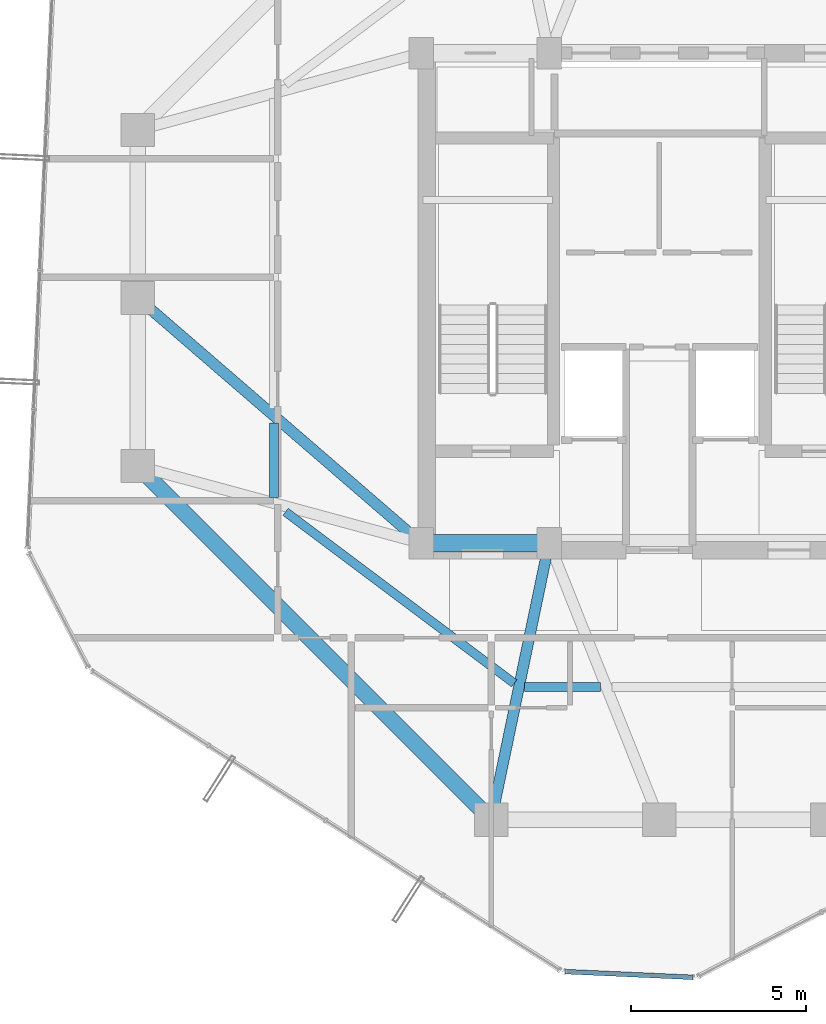
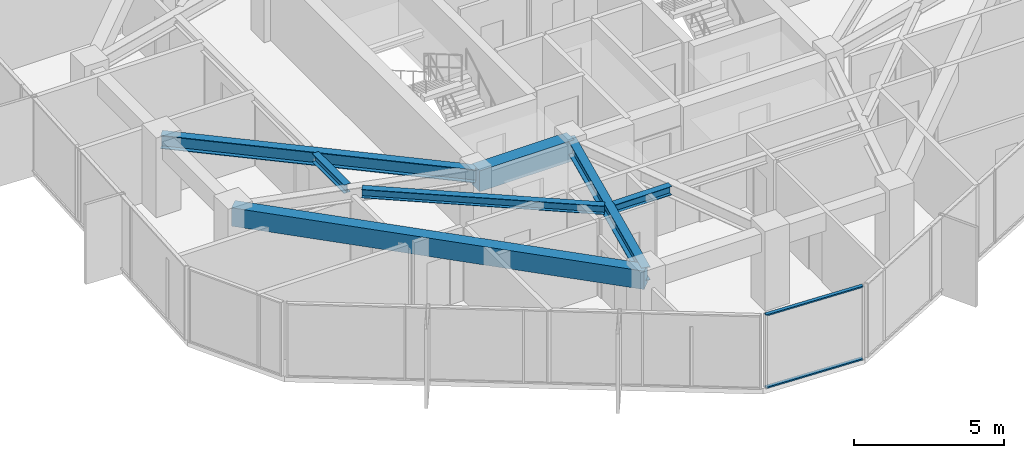
# One storey, part 5 of 29: 7 beams, 2 members, 1 element without a shape of its own.
"""IFC4 building model written with IfcOpenShell, lengths in metres."""

from ifc_helpers import new_model, si_unit, direction, frame, origin, origin_2d, place, context, subcontext, project, spatial, rectangle, hollow_rectangle, i_section, extrude, source, transform, mapped, material, layer, layer_set, material_profile, profile_set, type_object, element, aggregate, save


model = new_model("IFC4")

# Units and contexts
model_context = context("Model", 3, precision=1e-05, world=origin(), true_north=direction((0.0, 1.0)))
body_context = subcontext(model_context, "Body", "Model", "MODEL_VIEW")
ifc_project = project(units=[si_unit("LENGTHUNIT", "METRE"), si_unit("AREAUNIT", "SQUARE_METRE"), si_unit("VOLUMEUNIT", "CUBIC_METRE"), si_unit("PLANEANGLEUNIT", "RADIAN"), si_unit("MASSUNIT", "GRAM", prefix="KILO")], contexts=[model_context])

# Site, building, storey
site_placement = place(None, origin())
site = spatial("IfcSite", under=ifc_project, at=site_placement, CompositionType="ELEMENT")
building_placement = place(site_placement, origin())
building = spatial("IfcBuilding", under=site, at=building_placement, Name="Veraguas Prism Commons", CompositionType="ELEMENT")
storey_placement = place(building_placement, frame((0.0, 0.0, 215.64990234375)))
storey = spatial("IfcBuildingStorey", under=building, at=storey_placement, Name="L61", CompositionType="ELEMENT", Elevation=215.64990234375)

# Beams
ifc_material_1 = material(Name="Concrete C50/60", Category="concrete")
ifc_material_profile_1 = material_profile(ifc_material_1, rectangle(XDim=0.5, YDim=0.85009765625, at=origin_2d()), Name="RC500X850")
ifc_profile_set_1 = profile_set([ifc_material_profile_1], Name="Concrete C50/60")
beam_type_1 = type_object("IfcBeamType", Name="Core Coupling Beam RC 500x850", PredefinedType="BEAM", material=ifc_profile_set_1)
beam_1_placement = place(storey_placement, frame((17.199951171875, 17.0, 2.590087890625), z_axis=(1.0, 0.0, 0.0), x_axis=(0.0, 1.0, 0.0)))
element("IfcBeam", 1, at=beam_1_placement, inside=storey, type_object=beam_type_1, Name="Core Coupling Beam L61-CRS1", PredefinedType="BEAM", context=body_context, shape_type="SweptSolid", body=[
    extrude(rectangle(XDim=0.5, YDim=0.85009765625, at=origin_2d()), origin(), (0.0, 0.0, 1.0), 3.650146484375),
])
ifc_material_profile_2 = material_profile(ifc_material_1, rectangle(XDim=0.449951171875, YDim=0.75, at=origin_2d()), Name="RC450X750")
ifc_profile_set_2 = profile_set([ifc_material_profile_2], Name="Concrete C50/60")
beam_type_2 = type_object("IfcBeamType", Name="Perimeter Spandrel Upper RC 450x750", PredefinedType="SPANDREL", material=ifc_profile_set_2)
beam_2_placement = place(storey_placement, frame((9.10009765625, 19.199951171875, 2.64013671875), z_axis=(0.707106781187, -0.707106781187, 0.0), x_axis=(0.707106781187, 0.707106781187, 0.0)))
element("IfcBeam", 2, at=beam_2_placement, inside=storey, type_object=beam_type_2, Name="Perimeter Spandrel Beam L61-SP09", PredefinedType="SPANDREL", context=body_context, shape_type="SweptSolid", body=[
    extrude(rectangle(XDim=0.449951171875, YDim=0.75, at=origin_2d()), origin(), (0.0, 0.0, 1.0), 14.283447265625),
])
ifc_material_2 = material(Name="Steel ASTM A992 Grade 50", Category="steel")
ifc_material_profile_3 = material_profile(ifc_material_2, i_section(OverallWidth=0.25390625, OverallDepth=0.35302734375, WebThickness=0.009521484375, FlangeThickness=0.016357421875, at=origin_2d()), Name="W360X91")
ifc_profile_set_3 = profile_set([ifc_material_profile_3], Name="Steel ASTM A992 Grade 50")
beam_type_3 = type_object("IfcBeamType", Name="Upper Floor Joist W360x91", PredefinedType="JOIST", material=ifc_profile_set_3)
beam_3_placement = place(storey_placement, frame((12.988037109375, 20.43701171875, 2.838623046875), z_axis=(0.0, -1.0, 0.0), x_axis=(1.0, 0.0, 0.0)))
element("IfcBeam", 3, at=beam_3_placement, inside=storey, type_object=beam_type_3, Name="Composite Floor Joist L61-JS08", PredefinedType="JOIST", context=body_context, shape_type="SweptSolid", body=[
    extrude(i_section(OverallWidth=0.25390625, OverallDepth=0.35302734375, WebThickness=0.009521484375, FlangeThickness=0.016357421875, at=origin_2d()), origin(), (0.0, 0.0, 1.0), 2.134033203125),
])
beam_4_placement = place(storey_placement, frame((13.320556640625, 17.89453125, 2.838623046875), z_axis=(0.800060962004, -0.599918708724, 0.0), x_axis=(0.599918708724, 0.800060962004, 0.0)))
element("IfcBeam", 4, at=beam_4_placement, inside=storey, type_object=beam_type_3, Name="Composite Floor Joist L61-JS09", PredefinedType="JOIST", context=body_context, shape_type="SweptSolid", body=[
    extrude(i_section(OverallWidth=0.25390625, OverallDepth=0.35302734375, WebThickness=0.009521484375, FlangeThickness=0.016357421875, at=origin_2d()), origin(), (0.0, 0.0, 1.0), 8.169189453125),
])
beam_5_placement = place(storey_placement, frame((20.148681640625, 12.89208984375, 2.838623046875), z_axis=(1.0, 0.0, 0.0), x_axis=(0.0, 1.0, 0.0)))
element("IfcBeam", 5, at=beam_5_placement, inside=storey, type_object=beam_type_3, Name="Composite Floor Joist L61-JS10", PredefinedType="JOIST", context=body_context, shape_type="SweptSolid", body=[
    extrude(i_section(OverallWidth=0.25390625, OverallDepth=0.35302734375, WebThickness=0.009521484375, FlangeThickness=0.016357421875, at=origin_2d()), origin(), (0.0, 0.0, 1.0), 2.174072265625),
])
ifc_material_profile_4 = material_profile(ifc_material_2, i_section(OverallWidth=0.31103515625, OverallDepth=0.5458984375, WebThickness=0.0146484375, FlangeThickness=0.023681640625, at=origin_2d()), Name="W530X165")
ifc_profile_set_4 = profile_set([ifc_material_profile_4], Name="Steel ASTM A992 Grade 50")
beam_type_4 = type_object("IfcBeamType", Name="Zone 3 Radial Girder W530x165", PredefinedType="BEAM", material=ifc_profile_set_4)
beam_6_placement = place(storey_placement, frame((9.10009765625, 24.0, 2.7421875), z_axis=(0.756607086554, -0.653869800936, 0.0), x_axis=(0.653869800936, 0.756607086554, 0.0)))
element("IfcBeam", 6, at=beam_6_placement, inside=storey, type_object=beam_type_4, Name="Radial Floor Girder L61-RD08", PredefinedType="BEAM", context=body_context, shape_type="SweptSolid", body=[
    extrude(i_section(OverallWidth=0.31103515625, OverallDepth=0.5458984375, WebThickness=0.0146484375, FlangeThickness=0.023681640625, at=origin_2d()), origin(), (0.0, 0.0, 1.0), 10.70556640625),
])
beam_7_placement = place(storey_placement, frame((19.199951171875, 9.10009765625, 2.7421875), z_axis=(0.204468851168, 0.978873070884, 0.0), x_axis=(-0.978873070884, 0.204468851168, 0.0)))
element("IfcBeam", 7, at=beam_7_placement, inside=storey, type_object=beam_type_4, Name="Radial Floor Girder L61-RD10", PredefinedType="BEAM", context=body_context, shape_type="SweptSolid", body=[
    extrude(i_section(OverallWidth=0.31103515625, OverallDepth=0.5458984375, WebThickness=0.0146484375, FlangeThickness=0.023681640625, at=origin_2d()), origin(), (0.0, 0.0, 1.0), 8.0703125),
])

# Curtain wall, members
ifc_material_3 = material(Name="Anodised aluminium EN AW-6063 T6", Category="aluminium")
ifc_layer = layer(ifc_material_3, 0.14990234375, Name="Unitised Flush Curtain Wall Zone 3", Category="aluminium")
ifc_layer_set = layer_set([ifc_layer], Name="Anodised aluminium EN AW-6063 T6")
curtain_wall_type = type_object("IfcCurtainWallType", Name="Unitised Flush Curtain Wall Zone 3", PredefinedType="NOTDEFINED", material=ifc_layer_set)
curtain_wall_placement = place(storey_placement, origin())
curtain_wall = element("IfcCurtainWall", 8, at=curtain_wall_placement, inside=storey, type_object=curtain_wall_type, Name="Chamfer Curtain Wall L61-C5", PredefinedType="NOTDEFINED")
ifc_material_profile_5 = material_profile(ifc_material_3, hollow_rectangle(XDim=0.054931640625, YDim=0.135009765625, WallThickness=0.0029296875, at=origin_2d()), Name="AL55X135X3")
ifc_profile_set_5 = profile_set([ifc_material_profile_5], Name="Anodised aluminium EN AW-6063 T6")
member_type = type_object("IfcMemberType", Name="Curtain Wall Transom Standard AL 55x135x3", PredefinedType="USERDEFINED", material=ifc_profile_set_5)
shared_shape = source(origin(), body_context, "Body", "SweptSolid", [
    extrude(hollow_rectangle(XDim=0.054931640625, YDim=0.135009765625, WallThickness=0.0029296875, at=origin_2d()), origin(), (0.0, 0.0, 1.0), 3.654296875),
])
member_1_placement = place(storey_placement, frame((21.310791015625, 4.7578125, 0.027587890625), z_axis=(0.999003638784, -0.044628798951, 0.0), x_axis=(0.0, 0.0, 1.0)))
member_1 = element("IfcMember", 9, at=member_1_placement, type_object=member_type, Name="CW-Z3 Transom 1", ObjectType="TRANSOM", PredefinedType="USERDEFINED", context=body_context, shape_type="MappedRepresentation", body=[
    mapped(shared_shape, transform((0.0, 0.0, 0.0), scale=1.0)),
])
member_2_placement = place(storey_placement, frame((21.310791015625, 4.7578125, 2.987548828125), z_axis=(0.999003638784, -0.044628798951, 0.0), x_axis=(0.0, 0.0, 1.0)))
member_2 = element("IfcMember", 10, at=member_2_placement, type_object=member_type, Name="CW-Z3 Transom 2", ObjectType="TRANSOM", PredefinedType="USERDEFINED", context=body_context, shape_type="MappedRepresentation", body=[
    mapped(shared_shape, transform((0.0, 0.0, 0.0), scale=1.0)),
])
aggregate(curtain_wall, [member_1, member_2])

save(model, "model.ifc")
